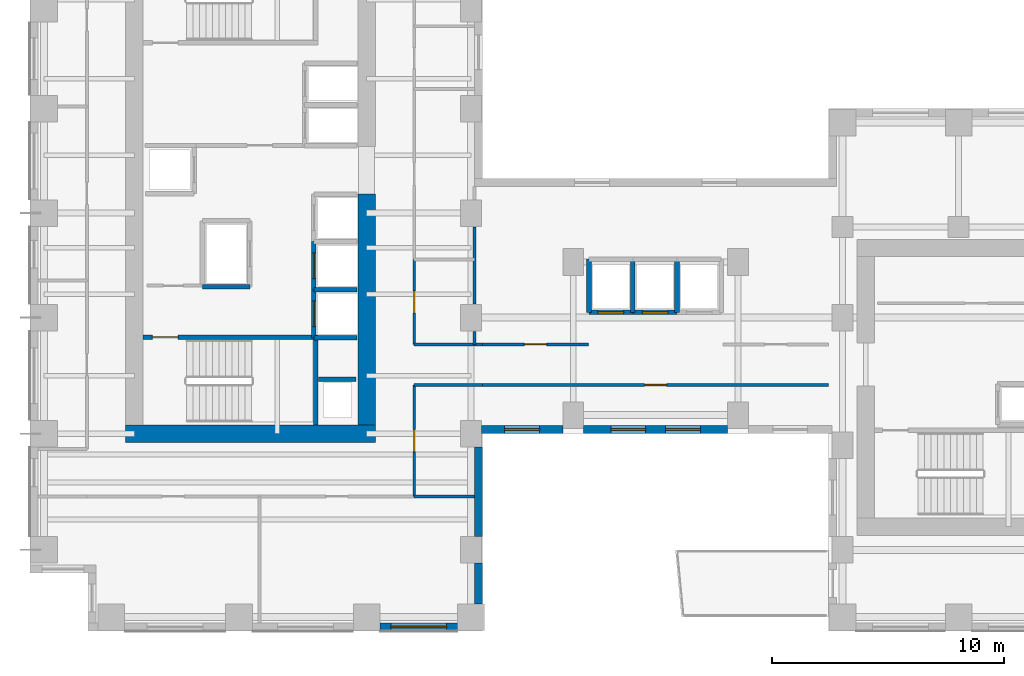
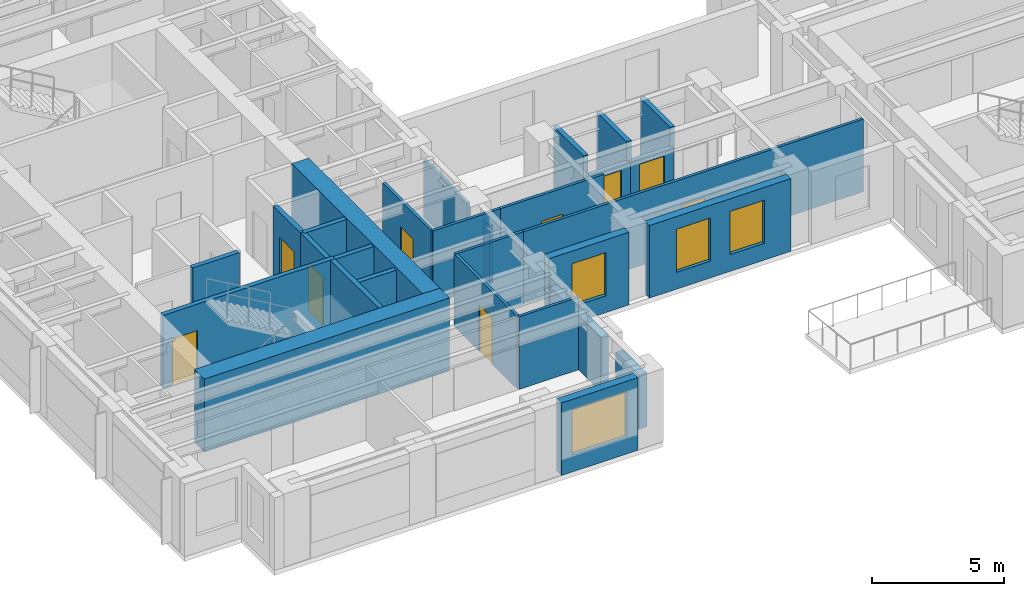
# One storey, part 4 of 12: 29 walls, 9 doors, 4 windows, 13 openings.
"""IFC4 building model written with IfcOpenShell, lengths in metres."""

from ifc_helpers import new_model, si_unit, direction, frame, frame_2d, origin, place, context, subcontext, project, spatial, rectangle, extrude, source, transform, mapped, material, layer, layer_set, type_object, element, fill, save


model = new_model("IFC4")

# Units and contexts
model_context = context("Model", 3, precision=1e-05, world=origin(), true_north=direction((0.0, 1.0)))
body_context = subcontext(model_context, "Body", "Model", "MODEL_VIEW")
ifc_project = project(units=[si_unit("LENGTHUNIT", "METRE"), si_unit("AREAUNIT", "SQUARE_METRE"), si_unit("VOLUMEUNIT", "CUBIC_METRE"), si_unit("PLANEANGLEUNIT", "RADIAN"), si_unit("MASSUNIT", "GRAM", prefix="KILO")], contexts=[model_context])

# Site, building, storey
site_placement = place(None, origin())
site = spatial("IfcSite", under=ifc_project, at=site_placement, CompositionType="ELEMENT")
building_placement = place(site_placement, origin())
building = spatial("IfcBuilding", under=site, at=building_placement, Name="Kharzan Plaza Tower", CompositionType="ELEMENT")
storey_placement = place(building_placement, frame((0.0, 0.0, 91.800048828125)))
storey = spatial("IfcBuildingStorey", under=building, at=storey_placement, Name="L24", CompositionType="ELEMENT", Elevation=91.800048828125)

# Wall, opening, window
ifc_material_1 = material(Name="Concrete C40/50", Category="concrete")
ifc_layer_1 = layer(ifc_material_1, 0.35009765625)
ifc_layer_set_1 = layer_set([ifc_layer_1], Name="Concrete C40/50")
wall_type_1 = type_object("IfcWallType", Name="WL-EXT-MAS-Z2", PredefinedType="SOLIDWALL", material=ifc_layer_set_1)
wall_1_placement = place(storey_placement, frame((15.072998046875, 0.175048828125, 0.0), z_axis=(0.0, 0.0, 1.0), x_axis=(1.0, 0.0, 0.0)))
wall_1 = element("IfcWall", 1, at=wall_1_placement, inside=storey, type_object=wall_type_1, Name="L24 Masonry-Frame Exterior Wall 31", PredefinedType="SOLIDWALL", context=body_context, shape_type="SweptSolid", body=[
    extrude(rectangle(XDim=3.35400390625, YDim=0.35009765625, at=frame_2d((1.677001953125, 0.0))), origin(), (0.0, 0.0, 1.0), 3.364990234375),
])
opening_1_placement = place(wall_1_placement, frame((0.47705078125, 0.0, 0.780029296875)))
opening_1 = element("IfcOpeningElement", 2, at=opening_1_placement, cuts=wall_1, Name="Opening W2", PredefinedType="OPENING", context=body_context, shape_type="SweptSolid", body=[
    extrude(rectangle(XDim=2.39990234375, YDim=2.10009765625, at=frame_2d((1.199951171875, 1.050048828125))), frame((0.0, 0.18505859375, 0.0), z_axis=(0.0, -1.0, 0.0), x_axis=(1.0, 0.0, 0.0)), (0.0, 0.0, 1.0), 0.3701171875),
])
ifc_material_2 = material(Name="Low-E Double Glazing", Category="glass")
window_type_1 = type_object("IfcWindowType", Name="WN-REC-2400x2100", PartitioningType="SINGLE_PANEL", PredefinedType="WINDOW", material=ifc_material_2)
shared_shape_1 = source(origin(), body_context, "Body", "SweptSolid", [
    extrude(rectangle(XDim=2.39990234375, YDim=2.10009765625, at=frame_2d((1.199951171875, 1.050048828125))), frame((0.0, 0.030029296875, 0.0), z_axis=(0.0, -1.0, 0.0), x_axis=(1.0, 0.0, 0.0)), (0.0, 0.0, 1.0), 0.06005859375),
])
window_1_placement = place(opening_1_placement, origin())
window_1 = element("IfcWindow", 3, at=window_1_placement, inside=storey, type_object=window_type_1, Name="L24 Wide Recessed Solar-Control Window 31-1", OverallHeight=2.10009765625, OverallWidth=2.39990234375, PartitioningType="SINGLE_PANEL", PredefinedType="WINDOW", context=body_context, shape_type="MappedRepresentation", body=[
    mapped(shared_shape_1, transform((0.0, 0.0, 0.0), x_axis=(1.0, 0.0, 0.0), y_axis=(0.0, 1.0, 0.0), z_axis=(0.0, 0.0, 1.0))),
])
fill(opening_1, window_1)

wall_2_placement = place(storey_placement, frame((19.447998046875, 8.675048828125, 0.0), z_axis=(0.0, 0.0, 1.0), x_axis=(1.0, 0.0, 0.0)))
wall_2 = element("IfcWall", 4, at=wall_2_placement, inside=storey, type_object=wall_type_1, Name="L24 Masonry-Frame Exterior Wall 34", PredefinedType="SOLIDWALL", context=body_context, shape_type="SweptSolid", body=[
    extrude(rectangle(XDim=3.50390625, YDim=0.35009765625, at=frame_2d((1.751953125, 0.0))), origin(), (0.0, 0.0, 1.0), 3.364990234375),
])
opening_2_placement = place(wall_2_placement, frame((1.001953125, 0.0, 0.780029296875)))
opening_2 = element("IfcOpeningElement", 5, at=opening_2_placement, cuts=wall_2, Name="Opening W5", PredefinedType="OPENING", context=body_context, shape_type="SweptSolid", body=[
    extrude(rectangle(XDim=1.5, YDim=2.0, at=frame_2d((0.75, 1.0))), frame((0.0, 0.18505859375, 0.0), z_axis=(0.0, -1.0, 0.0), x_axis=(1.0, 0.0, 0.0)), (0.0, 0.0, 1.0), 0.3701171875),
])
window_type_2 = type_object("IfcWindowType", Name="WN-SLT-1500x2000", PartitioningType="SINGLE_PANEL", PredefinedType="WINDOW", material=ifc_material_2)
shared_shape_2 = source(origin(), body_context, "Body", "SweptSolid", [
    extrude(rectangle(XDim=1.5, YDim=2.0, at=frame_2d((0.75, 1.0))), frame((0.0, 0.030029296875, 0.0), z_axis=(0.0, -1.0, 0.0), x_axis=(1.0, 0.0, 0.0)), (0.0, 0.0, 1.0), 0.06005859375),
])
window_2_placement = place(opening_2_placement, origin())
window_2 = element("IfcWindow", 6, at=window_2_placement, inside=storey, type_object=window_type_2, Name="L24 Recessed Solar-Control Window 34-1", OverallHeight=2.0, OverallWidth=1.5, PartitioningType="SINGLE_PANEL", PredefinedType="WINDOW", context=body_context, shape_type="MappedRepresentation", body=[
    mapped(shared_shape_2, transform((0.0, 0.0, 0.0), x_axis=(1.0, 0.0, 0.0), y_axis=(0.0, 1.0, 0.0), z_axis=(0.0, 0.0, 1.0))),
])
fill(opening_2, window_2)

# Wall, openings, windows
wall_3_placement = place(storey_placement, frame((23.847900390625, 8.675048828125, 0.0), z_axis=(0.0, 0.0, 1.0), x_axis=(1.0, 0.0, 0.0)))
wall_3 = element("IfcWall", 7, at=wall_3_placement, inside=storey, type_object=wall_type_1, Name="L24 Masonry-Frame Exterior Wall 35", PredefinedType="SOLIDWALL", context=body_context, shape_type="SweptSolid", body=[
    extrude(rectangle(XDim=6.2041015625, YDim=0.35009765625, at=frame_2d((3.10205078125, 0.0))), origin(), (0.0, 0.0, 1.0), 3.364990234375),
])
opening_3_placement = place(wall_3_placement, frame((1.1748046875, 0.0, 0.780029296875)))
opening_3 = element("IfcOpeningElement", 8, at=opening_3_placement, cuts=wall_3, Name="Opening W5", PredefinedType="OPENING", context=body_context, shape_type="SweptSolid", body=[
    extrude(rectangle(XDim=1.5, YDim=2.0, at=frame_2d((0.75, 1.0))), frame((0.0, 0.18505859375, 0.0), z_axis=(0.0, -1.0, 0.0), x_axis=(1.0, 0.0, 0.0)), (0.0, 0.0, 1.0), 0.3701171875),
])
opening_4_placement = place(wall_3_placement, frame((3.529296875, 0.0, 0.780029296875)))
opening_4 = element("IfcOpeningElement", 9, at=opening_4_placement, cuts=wall_3, Name="Opening W5", PredefinedType="OPENING", context=body_context, shape_type="SweptSolid", body=[
    extrude(rectangle(XDim=1.5, YDim=2.0, at=frame_2d((0.75, 1.0))), frame((0.0, 0.18505859375, 0.0), z_axis=(0.0, -1.0, 0.0), x_axis=(1.0, 0.0, 0.0)), (0.0, 0.0, 1.0), 0.3701171875),
])
window_3_placement = place(opening_3_placement, origin())
window_3 = element("IfcWindow", 10, at=window_3_placement, inside=storey, type_object=window_type_2, Name="L24 Recessed Solar-Control Window 35-1", OverallHeight=2.0, OverallWidth=1.5, PartitioningType="SINGLE_PANEL", PredefinedType="WINDOW", context=body_context, shape_type="MappedRepresentation", body=[
    mapped(shared_shape_2, transform((0.0, 0.0, 0.0), x_axis=(1.0, 0.0, 0.0), y_axis=(0.0, 1.0, 0.0), z_axis=(0.0, 0.0, 1.0))),
])
fill(opening_3, window_3)
window_4_placement = place(opening_4_placement, origin())
window_4 = element("IfcWindow", 11, at=window_4_placement, inside=storey, type_object=window_type_2, Name="L24 Recessed Solar-Control Window 35-2", OverallHeight=2.0, OverallWidth=1.5, PartitioningType="SINGLE_PANEL", PredefinedType="WINDOW", context=body_context, shape_type="MappedRepresentation", body=[
    mapped(shared_shape_2, transform((0.0, 0.0, 0.0), x_axis=(1.0, 0.0, 0.0), y_axis=(0.0, 1.0, 0.0), z_axis=(0.0, 0.0, 1.0))),
])
fill(opening_4, window_4)

# Wall, opening, door
ifc_material_3 = material(Name="Fire-Rated Gypsum Board Partition", Category="gypsum")
ifc_layer_2 = layer(ifc_material_3, 0.125)
ifc_layer_set_2 = layer_set([ifc_layer_2], Name="Fire-Rated Gypsum Board Partition")
wall_type_2 = type_object("IfcWallType", Name="WL-INT-PART-125", PredefinedType="PARTITIONING", material=ifc_layer_set_2)
wall_4_placement = place(storey_placement, frame((16.550048828125, 12.35009765625, 0.0), z_axis=(0.0, 0.0, 1.0), x_axis=(0.0, 1.0, 0.0)))
wall_4 = element("IfcWall", 12, at=wall_4_placement, inside=storey, type_object=wall_type_2, Name="L24 Interior Partition SH-AEWN1", PredefinedType="PARTITIONING", context=body_context, shape_type="SweptSolid", body=[
    extrude(rectangle(XDim=3.64990234375, YDim=0.125, at=frame_2d((1.824951171875, 0.0))), origin(), (0.0, 0.0, 1.0), 3.364990234375),
])
opening_5_placement = place(wall_4_placement, frame((1.35009765625, 0.0, 0.0)))
opening_5 = element("IfcOpeningElement", 13, at=opening_5_placement, cuts=wall_4, Name="Opening OD1", PredefinedType="OPENING", context=body_context, shape_type="SweptSolid", body=[
    extrude(rectangle(XDim=0.949951171875, YDim=2.14990234375, at=frame_2d((0.47509765625, 1.074951171875))), frame((0.0, 0.072509765625, 0.0), z_axis=(0.0, -1.0, 0.0), x_axis=(1.0, 0.0, 0.0)), (0.0, 0.0, 1.0), 0.14501953125),
])
ifc_material_4 = material(Name="Acoustic Solid-Core Stained Oak", Category="timber")
door_type_1 = type_object("IfcDoorType", Name="DR-OFF-SINGLE", OperationType="NOTDEFINED", PredefinedType="DOOR", material=ifc_material_4)
shared_shape_3 = source(origin(), body_context, "Body", "SweptSolid", [
    extrude(rectangle(XDim=0.949951171875, YDim=2.14990234375, at=frame_2d((0.47509765625, 1.074951171875))), frame((0.0, 0.02490234375, 0.0), z_axis=(0.0, -1.0, 0.0), x_axis=(1.0, 0.0, 0.0)), (0.0, 0.0, 1.0), 0.050048828125),
])
door_1_placement = place(opening_5_placement, origin())
door_1 = element("IfcDoor", 14, at=door_1_placement, inside=storey, type_object=door_type_1, Name="L24 Slot Collaboration Door", OperationType="SINGLE_SWING_LEFT", OverallHeight=2.14990234375, OverallWidth=0.949951171875, PredefinedType="DOOR", context=body_context, shape_type="MappedRepresentation", body=[
    mapped(shared_shape_3, transform((0.0, 0.0, 0.0), x_axis=(1.0, 0.0, 0.0), y_axis=(0.0, 1.0, 0.0), z_axis=(0.0, 0.0, 1.0))),
])
fill(opening_5, door_1)

wall_5_placement = place(storey_placement, frame((16.550048828125, 5.800048828125, 0.0), z_axis=(0.0, 0.0, 1.0), x_axis=(0.0, 1.0, 0.0)))
wall_5 = element("IfcWall", 15, at=wall_5_placement, inside=storey, type_object=wall_type_2, Name="L24 Interior Partition SH-AEWS", PredefinedType="PARTITIONING", context=body_context, shape_type="SweptSolid", body=[
    extrude(rectangle(XDim=4.800048828125, YDim=0.125, at=frame_2d((2.39990234375, 0.0))), origin(), (0.0, 0.0, 1.0), 3.364990234375),
])
opening_6_placement = place(wall_5_placement, frame((1.925048828125, 0.0, 0.0)))
opening_6 = element("IfcOpeningElement", 16, at=opening_6_placement, cuts=wall_5, Name="Opening OD1", PredefinedType="OPENING", context=body_context, shape_type="SweptSolid", body=[
    extrude(rectangle(XDim=0.949951171875, YDim=2.14990234375, at=frame_2d((0.47509765625, 1.074951171875))), frame((0.0, 0.072509765625, 0.0), z_axis=(0.0, -1.0, 0.0), x_axis=(1.0, 0.0, 0.0)), (0.0, 0.0, 1.0), 0.14501953125),
])
door_2_placement = place(opening_6_placement, origin())
door_2 = element("IfcDoor", 17, at=door_2_placement, inside=storey, type_object=door_type_1, Name="L24 Slot South Office Door", OperationType="SINGLE_SWING_RIGHT", OverallHeight=2.14990234375, OverallWidth=0.949951171875, PredefinedType="DOOR", context=body_context, shape_type="MappedRepresentation", body=[
    mapped(shared_shape_3, transform((0.0, 0.0, 0.0), x_axis=(1.0, 0.0, 0.0), y_axis=(0.0, 1.0, 0.0), z_axis=(0.0, 0.0, 1.0))),
])
fill(opening_6, door_2)

wall_6_placement = place(storey_placement, frame((19.5, 12.35009765625, 0.0), z_axis=(0.0, 0.0, 1.0), x_axis=(1.0, 0.0, 0.0)))
wall_6 = element("IfcWall", 18, at=wall_6_placement, inside=storey, type_object=wall_type_2, Name="L24 Interior Partition SH-SPNW1", PredefinedType="PARTITIONING", context=body_context, shape_type="SweptSolid", body=[
    extrude(rectangle(XDim=4.550048828125, YDim=0.125, at=frame_2d((2.27490234375, 0.0))), origin(), (0.0, 0.0, 1.0), 3.364990234375),
])
opening_7_placement = place(wall_6_placement, frame((1.800048828125, 0.0, 0.0)))
opening_7 = element("IfcOpeningElement", 19, at=opening_7_placement, cuts=wall_6, Name="Opening OD1", PredefinedType="OPENING", context=body_context, shape_type="SweptSolid", body=[
    extrude(rectangle(XDim=0.949951171875, YDim=2.14990234375, at=frame_2d((0.47509765625, 1.074951171875))), frame((0.0, 0.072509765625, 0.0), z_axis=(0.0, -1.0, 0.0), x_axis=(1.0, 0.0, 0.0)), (0.0, 0.0, 1.0), 0.14501953125),
])
door_3_placement = place(opening_7_placement, origin())
door_3 = element("IfcDoor", 20, at=door_3_placement, inside=storey, type_object=door_type_1, Name="L24 North-West Spine Door", OperationType="SINGLE_SWING_RIGHT", OverallHeight=2.14990234375, OverallWidth=0.949951171875, PredefinedType="DOOR", context=body_context, shape_type="MappedRepresentation", body=[
    mapped(shared_shape_3, transform((0.0, 0.0, 0.0), x_axis=(1.0, 0.0, 0.0), y_axis=(0.0, 1.0, 0.0), z_axis=(0.0, 0.0, 1.0))),
])
fill(opening_7, door_3)

wall_7_placement = place(storey_placement, frame((19.5, 10.60009765625, 0.0), z_axis=(0.0, 0.0, 1.0), x_axis=(1.0, 0.0, 0.0)))
wall_7 = element("IfcWall", 21, at=wall_7_placement, inside=storey, type_object=wall_type_2, Name="L24 Interior Partition SH-SPS1", PredefinedType="PARTITIONING", context=body_context, shape_type="SweptSolid", body=[
    extrude(rectangle(XDim=14.89990234375, YDim=0.125, at=frame_2d((7.449951171875, 0.0))), origin(), (0.0, 0.0, 1.0), 3.364990234375),
])
opening_8_placement = place(wall_7_placement, frame((6.97509765625, 0.0, 0.0)))
opening_8 = element("IfcOpeningElement", 22, at=opening_8_placement, cuts=wall_7, Name="Opening OD1", PredefinedType="OPENING", context=body_context, shape_type="SweptSolid", body=[
    extrude(rectangle(XDim=0.949951171875, YDim=2.14990234375, at=frame_2d((0.47509765625, 1.074951171875))), frame((0.0, 0.072509765625, 0.0), z_axis=(0.0, -1.0, 0.0), x_axis=(1.0, 0.0, 0.0)), (0.0, 0.0, 1.0), 0.14501953125),
])
door_4_placement = place(opening_8_placement, origin())
door_4 = element("IfcDoor", 23, at=door_4_placement, inside=storey, type_object=door_type_1, Name="L24 South Spine Studio Door", OperationType="SINGLE_SWING_LEFT", OverallHeight=2.14990234375, OverallWidth=0.949951171875, PredefinedType="DOOR", context=body_context, shape_type="MappedRepresentation", body=[
    mapped(shared_shape_3, transform((0.0, 0.0, 0.0), x_axis=(1.0, 0.0, 0.0), y_axis=(0.0, 1.0, 0.0), z_axis=(0.0, 0.0, 1.0))),
])
fill(opening_8, door_4)

ifc_layer_3 = layer(ifc_material_1, 0.199951171875)
ifc_layer_set_3 = layer_set([ifc_layer_3], Name="Concrete C40/50")
wall_type_3 = type_object("IfcWallType", Name="WL-INT-SHAFT-200", PredefinedType="PARTITIONING", material=ifc_layer_set_3)
wall_8_placement = place(storey_placement, frame((12.22998046875, 12.6298828125, 0.0), z_axis=(0.0, 0.0, 1.0), x_axis=(0.0, 1.0, 0.0)))
wall_8 = element("IfcWall", 24, at=wall_8_placement, inside=storey, type_object=wall_type_3, Name="L24 Interior Partition SHF-PL-H1-W", PredefinedType="PARTITIONING", context=body_context, shape_type="SweptSolid", body=[
    extrude(rectangle(XDim=2.070068359375, YDim=0.199951171875, at=frame_2d((1.03515625, 0.0))), origin(), (0.0, 0.0, 1.0), 3.364990234375),
])
opening_9_placement = place(wall_8_placement, frame((0.485107421875, 0.0, 0.0)))
opening_9 = element("IfcOpeningElement", 25, at=opening_9_placement, cuts=wall_8, Name="Opening LD", PredefinedType="OPENING", context=body_context, shape_type="SweptSolid", body=[
    extrude(rectangle(XDim=1.10009765625, YDim=2.199951171875, at=frame_2d((0.550048828125, 1.10009765625))), frame((0.0, 0.10986328125, 0.0), z_axis=(0.0, -1.0, 0.0), x_axis=(1.0, 0.0, 0.0)), (0.0, 0.0, 1.0), 0.219970703125),
])
ifc_material_5 = material(Name="Brushed Stainless Steel", Category="steel")
door_type_2 = type_object("IfcDoorType", Name="DR-LIFT-SLIDE", OperationType="SLIDING_TO_LEFT", PredefinedType="DOOR", material=ifc_material_5)
shared_shape_4 = source(origin(), body_context, "Body", "SweptSolid", [
    extrude(rectangle(XDim=1.10009765625, YDim=2.199951171875, at=frame_2d((0.550048828125, 1.10009765625))), frame((0.0, 0.02490234375, 0.0), z_axis=(0.0, -1.0, 0.0), x_axis=(1.0, 0.0, 0.0)), (0.0, 0.0, 1.0), 0.050048828125),
])
door_5_placement = place(opening_9_placement, origin())
door_5 = element("IfcDoor", 26, at=door_5_placement, inside=storey, type_object=door_type_2, Name="L24 High-Rise Passenger Lift PL-H1 Sliding Landing Door", OperationType="SLIDING_TO_LEFT", OverallHeight=2.199951171875, OverallWidth=1.10009765625, PredefinedType="DOOR", context=body_context, shape_type="MappedRepresentation", body=[
    mapped(shared_shape_4, transform((0.0, 0.0, 0.0), x_axis=(1.0, 0.0, 0.0), y_axis=(0.0, 1.0, 0.0), z_axis=(0.0, 0.0, 1.0))),
])
fill(opening_9, door_5)

wall_9_placement = place(storey_placement, frame((12.22998046875, 14.699951171875, 0.0), z_axis=(0.0, 0.0, 1.0), x_axis=(0.0, 1.0, 0.0)))
wall_9 = element("IfcWall", 27, at=wall_9_placement, inside=storey, type_object=wall_type_3, Name="L24 Interior Partition SHF-PL-H2-W", PredefinedType="PARTITIONING", context=body_context, shape_type="SweptSolid", body=[
    extrude(rectangle(XDim=2.070068359375, YDim=0.199951171875, at=frame_2d((1.03515625, 0.0))), origin(), (0.0, 0.0, 1.0), 3.364990234375),
])
opening_10_placement = place(wall_9_placement, frame((0.485107421875, 0.0, 0.0)))
opening_10 = element("IfcOpeningElement", 28, at=opening_10_placement, cuts=wall_9, Name="Opening LD", PredefinedType="OPENING", context=body_context, shape_type="SweptSolid", body=[
    extrude(rectangle(XDim=1.10009765625, YDim=2.199951171875, at=frame_2d((0.550048828125, 1.10009765625))), frame((0.0, 0.10986328125, 0.0), z_axis=(0.0, -1.0, 0.0), x_axis=(1.0, 0.0, 0.0)), (0.0, 0.0, 1.0), 0.219970703125),
])
door_6_placement = place(opening_10_placement, origin())
door_6 = element("IfcDoor", 29, at=door_6_placement, inside=storey, type_object=door_type_2, Name="L24 High-Rise Passenger Lift PL-H2 Sliding Landing Door", OperationType="SLIDING_TO_LEFT", OverallHeight=2.199951171875, OverallWidth=1.10009765625, PredefinedType="DOOR", context=body_context, shape_type="MappedRepresentation", body=[
    mapped(shared_shape_4, transform((0.0, 0.0, 0.0), x_axis=(1.0, 0.0, 0.0), y_axis=(0.0, 1.0, 0.0), z_axis=(0.0, 0.0, 1.0))),
])
fill(opening_10, door_6)

wall_10_placement = place(storey_placement, frame((24.080078125, 13.72998046875, 0.0), z_axis=(0.0, 0.0, 1.0), x_axis=(1.0, 0.0, 0.0)))
wall_10 = element("IfcWall", 30, at=wall_10_placement, inside=storey, type_object=wall_type_3, Name="L24 Interior Partition SHF-PL-M1-S", PredefinedType="PARTITIONING", context=body_context, shape_type="SweptSolid", body=[
    extrude(rectangle(XDim=1.889892578125, YDim=0.199951171875, at=frame_2d((0.94482421875, 0.0))), origin(), (0.0, 0.0, 1.0), 2.446044921875),
])
opening_11_placement = place(wall_10_placement, frame((0.39501953125, 0.0, 0.0)))
opening_11 = element("IfcOpeningElement", 31, at=opening_11_placement, cuts=wall_10, Name="Opening LD", PredefinedType="OPENING", context=body_context, shape_type="SweptSolid", body=[
    extrude(rectangle(XDim=1.10009765625, YDim=2.199951171875, at=frame_2d((0.550048828125, 1.10009765625))), frame((0.0, 0.10986328125, 0.0), z_axis=(0.0, -1.0, 0.0), x_axis=(1.0, 0.0, 0.0)), (0.0, 0.0, 1.0), 0.219970703125),
])
door_7_placement = place(opening_11_placement, origin())
door_7 = element("IfcDoor", 32, at=door_7_placement, inside=storey, type_object=door_type_2, Name="L24 Mid-Rise Passenger Lift PL-M1 Sliding Landing Door", OperationType="SLIDING_TO_LEFT", OverallHeight=2.199951171875, OverallWidth=1.10009765625, PredefinedType="DOOR", context=body_context, shape_type="MappedRepresentation", body=[
    mapped(shared_shape_4, transform((0.0, 0.0, 0.0), x_axis=(1.0, 0.0, 0.0), y_axis=(0.0, 1.0, 0.0), z_axis=(0.0, 0.0, 1.0))),
])
fill(opening_11, door_7)

wall_11_placement = place(storey_placement, frame((25.97998046875, 13.72998046875, 0.0), z_axis=(0.0, 0.0, 1.0), x_axis=(1.0, 0.0, 0.0)))
wall_11 = element("IfcWall", 33, at=wall_11_placement, inside=storey, type_object=wall_type_3, Name="L24 Interior Partition SHF-PL-M2-S", PredefinedType="PARTITIONING", context=body_context, shape_type="SweptSolid", body=[
    extrude(rectangle(XDim=1.89013671875, YDim=0.199951171875, at=frame_2d((0.945068359375, 0.0))), origin(), (0.0, 0.0, 1.0), 2.446044921875),
])
opening_12_placement = place(wall_11_placement, frame((0.39501953125, 0.0, 0.0)))
opening_12 = element("IfcOpeningElement", 34, at=opening_12_placement, cuts=wall_11, Name="Opening LD", PredefinedType="OPENING", context=body_context, shape_type="SweptSolid", body=[
    extrude(rectangle(XDim=1.10009765625, YDim=2.199951171875, at=frame_2d((0.550048828125, 1.10009765625))), frame((0.0, 0.10986328125, 0.0), z_axis=(0.0, -1.0, 0.0), x_axis=(1.0, 0.0, 0.0)), (0.0, 0.0, 1.0), 0.219970703125),
])
door_8_placement = place(opening_12_placement, origin())
door_8 = element("IfcDoor", 35, at=door_8_placement, inside=storey, type_object=door_type_2, Name="L24 Mid-Rise Passenger Lift PL-M2 Sliding Landing Door", OperationType="SLIDING_TO_LEFT", OverallHeight=2.199951171875, OverallWidth=1.10009765625, PredefinedType="DOOR", context=body_context, shape_type="MappedRepresentation", body=[
    mapped(shared_shape_4, transform((0.0, 0.0, 0.0), x_axis=(1.0, 0.0, 0.0), y_axis=(0.0, 1.0, 0.0), z_axis=(0.0, 0.0, 1.0))),
])
fill(opening_12, door_8)

ifc_material_6 = material(Name="Concrete C50/60", Category="concrete")
ifc_layer_4 = layer(ifc_material_6, 0.199951171875)
ifc_layer_set_4 = layer_set([ifc_layer_4], Name="Concrete C50/60")
wall_type_4 = type_object("IfcWallType", Name="WL-SHAFT-RC200", PredefinedType="SHEAR", material=ifc_layer_set_4)
wall_12_placement = place(storey_placement, frame((4.876953125, 12.655029296875, 0.0), z_axis=(0.0, 0.0, 1.0), x_axis=(1.0, 0.0, 0.0)))
wall_12 = element("IfcWall", 36, at=wall_12_placement, inside=storey, type_object=wall_type_4, Name="L24 Stair ST-1 North RC Shaft Wall", PredefinedType="SHEAR", context=body_context, shape_type="SweptSolid", body=[
    extrude(rectangle(XDim=7.528076171875, YDim=0.199951171875, at=frame_2d((3.76416015625, 0.0))), origin(), (0.0, 0.0, 1.0), 3.3798828125),
])
opening_13_placement = place(wall_12_placement, frame((0.39990234375, 0.0, 0.0)))
opening_13 = element("IfcOpeningElement", 37, at=opening_13_placement, cuts=wall_12, Name="Opening SD1", PredefinedType="OPENING", context=body_context, shape_type="SweptSolid", body=[
    extrude(rectangle(XDim=1.10009765625, YDim=2.14990234375, at=frame_2d((0.550048828125, 1.074951171875))), frame((0.0, 0.10986328125, 0.0), z_axis=(0.0, -1.0, 0.0), x_axis=(1.0, 0.0, 0.0)), (0.0, 0.0, 1.0), 0.219970703125),
])
ifc_material_7 = material(Name="Fire-Rated Hollow Galvanized Steel", Category="steel")
door_type_3 = type_object("IfcDoorType", Name="DR-STAIR-FD120", OperationType="NOTDEFINED", PredefinedType="DOOR", material=ifc_material_7)
shared_shape_5 = source(origin(), body_context, "Body", "SweptSolid", [
    extrude(rectangle(XDim=1.10009765625, YDim=2.14990234375, at=frame_2d((0.550048828125, 1.074951171875))), frame((0.0, 0.02490234375, 0.0), z_axis=(0.0, -1.0, 0.0), x_axis=(1.0, 0.0, 0.0)), (0.0, 0.0, 1.0), 0.050048828125),
])
door_9_placement = place(opening_13_placement, origin())
door_9 = element("IfcDoor", 38, at=door_9_placement, inside=storey, type_object=door_type_3, Name="L24 Stair ST-1 Fire Exit Door", OperationType="SINGLE_SWING_LEFT", OverallHeight=2.14990234375, OverallWidth=1.10009765625, PredefinedType="DOOR", context=body_context, shape_type="MappedRepresentation", body=[
    mapped(shared_shape_5, transform((0.0, 0.0, 0.0), x_axis=(1.0, 0.0, 0.0), y_axis=(0.0, 1.0, 0.0), z_axis=(0.0, 0.0, 1.0))),
])
fill(opening_13, door_9)

# Walls
shared_shape_6 = source(origin(), body_context, "Body", "SweptSolid", [
    extrude(rectangle(XDim=2.597900390625, YDim=0.125, at=frame_2d((1.298828125, 0.0))), origin(), (0.0, 0.0, 1.0), 3.364990234375),
])
wall_13_placement = place(storey_placement, frame((16.550048828125, 5.800048828125, 0.0), z_axis=(0.0, 0.0, 1.0), x_axis=(1.0, 0.0, 0.0)))
element("IfcWall", 39, at=wall_13_placement, inside=storey, type_object=wall_type_2, Name="L24 Interior Partition SH-SSE-2", PredefinedType="PARTITIONING", context=body_context, shape_type="MappedRepresentation", body=[
    mapped(shared_shape_6, transform((0.0, 0.0, 0.0), x_axis=(1.0, 0.0, 0.0), y_axis=(0.0, 1.0, 0.0), z_axis=(0.0, 0.0, 1.0))),
])
shared_shape_7 = source(origin(), body_context, "Body", "SweptSolid", [
    extrude(rectangle(XDim=2.949951171875, YDim=0.125, at=frame_2d((1.47509765625, 0.0))), origin(), (0.0, 0.0, 1.0), 3.364990234375),
])
for number, where, z_axis, x_axis, name in (
    (40, (16.550048828125, 12.35009765625, 0.0), (0.0, 0.0, 1.0), (1.0, 0.0, 0.0), "L24 Interior Partition SH-SPNW0"),
    (41, (16.550048828125, 10.60009765625, 0.0), (0.0, 0.0, 1.0), (1.0, 0.0, 0.0), "L24 Interior Partition SH-SPS0"),
):
    element("IfcWall", number, at=place(storey_placement, frame(where, z_axis=z_axis, x_axis=x_axis)), inside=storey, type_object=wall_type_2, Name=name, PredefinedType="PARTITIONING", context=body_context, shape_type="MappedRepresentation", body=[
        mapped(shared_shape_7, transform((0.0, 0.0, 0.0), x_axis=(1.0, 0.0, 0.0), y_axis=(0.0, 1.0, 0.0), z_axis=(0.0, 0.0, 1.0))),
    ])
shared_shape_8 = source(origin(), body_context, "Body", "SweptSolid", [
    extrude(rectangle(XDim=2.2900390625, YDim=0.199951171875, at=frame_2d((1.14501953125, 0.0))), origin(), (0.0, 0.0, 1.0), 3.364990234375),
])
for number, where, z_axis, x_axis, name in (
    (42, (25.969970703125, 13.72998046875, 0.0), (0.0, 0.0, 1.0), (0.0, 1.0, 0.0), "L24 Interior Partition SHF-PL-M1-E"),
    (43, (24.080078125, 13.72998046875, 0.0), (0.0, 0.0, 1.0), (0.0, 1.0, 0.0), "L24 Interior Partition SHF-PL-M1-W"),
    (44, (27.8701171875, 13.72998046875, 0.0), (0.0, 0.0, 1.0), (0.0, 1.0, 0.0), "L24 Interior Partition SHF-PL-M2-E"),
):
    element("IfcWall", number, at=place(storey_placement, frame(where, z_axis=z_axis, x_axis=x_axis)), inside=storey, type_object=wall_type_3, Name=name, PredefinedType="PARTITIONING", context=body_context, shape_type="MappedRepresentation", body=[
        mapped(shared_shape_8, transform((0.0, 0.0, 0.0), x_axis=(1.0, 0.0, 0.0), y_axis=(0.0, 1.0, 0.0), z_axis=(0.0, 0.0, 1.0))),
    ])
shared_shape_9 = source(origin(), body_context, "Body", "SweptSolid", [
    extrude(rectangle(XDim=2.0400390625, YDim=0.199951171875, at=frame_2d((1.02001953125, 0.0))), origin(), (0.0, 0.0, 1.0), 3.364990234375),
])
wall_14_placement = place(storey_placement, frame((7.429931640625, 14.830078125, 0.0), z_axis=(0.0, 0.0, 1.0), x_axis=(1.0, 0.0, 0.0)))
element("IfcWall", 45, at=wall_14_placement, inside=storey, type_object=wall_type_3, Name="L24 Interior Partition SHF-SVL-1-S", PredefinedType="PARTITIONING", context=body_context, shape_type="MappedRepresentation", body=[
    mapped(shared_shape_9, transform((0.0, 0.0, 0.0), x_axis=(1.0, 0.0, 0.0), y_axis=(0.0, 1.0, 0.0), z_axis=(0.0, 0.0, 1.0))),
])
shared_shape_10 = source(origin(), body_context, "Body", "SweptSolid", [
    extrude(rectangle(XDim=1.75390625, YDim=0.35009765625, at=frame_2d((0.876953125, 0.0))), origin(), (0.0, 0.0, 1.0), 2.51904296875),
])
wall_15_placement = place(storey_placement, frame((19.324951171875, 1.173095703125, 0.0), z_axis=(0.0, 0.0, 1.0), x_axis=(0.0, 1.0, 0.0)))
element("IfcWall", 46, at=wall_15_placement, inside=storey, type_object=wall_type_1, Name="L24 Masonry-Frame Exterior Wall 32", PredefinedType="SOLIDWALL", context=body_context, shape_type="MappedRepresentation", body=[
    mapped(shared_shape_10, transform((0.0, 0.0, 0.0), x_axis=(1.0, 0.0, 0.0), y_axis=(0.0, 1.0, 0.0), z_axis=(0.0, 0.0, 1.0))),
])
shared_shape_11 = source(origin(), body_context, "Body", "SweptSolid", [
    extrude(rectangle(XDim=0.559814453125, YDim=0.125, at=frame_2d((0.27978515625, 0.0))), origin(), (0.0, 0.0, 1.0), 2.677001953125),
])
wall_16_placement = place(storey_placement, frame((19.14990234375, 12.35009765625, 0.0), z_axis=(0.0, 0.0, 1.0), x_axis=(0.0, 1.0, 0.0)))
element("IfcWall", 47, at=wall_16_placement, inside=storey, type_object=wall_type_2, Name="L24 Interior Partition SH-AEN-DIV-S1", PredefinedType="PARTITIONING", context=body_context, shape_type="MappedRepresentation", body=[
    mapped(shared_shape_11, transform((0.0, 0.0, 0.0), x_axis=(1.0, 0.0, 0.0), y_axis=(0.0, 1.0, 0.0), z_axis=(0.0, 0.0, 1.0))),
])
shared_shape_12 = source(origin(), body_context, "Body", "SweptSolid", [
    extrude(rectangle(XDim=3.31982421875, YDim=0.125, at=frame_2d((1.659912109375, 0.0))), origin(), (0.0, 0.0, 1.0), 2.677001953125),
])
wall_17_placement = place(storey_placement, frame((19.14990234375, 14.090087890625, 0.0), z_axis=(0.0, 0.0, 1.0), x_axis=(0.0, 1.0, 0.0)))
element("IfcWall", 48, at=wall_17_placement, inside=storey, type_object=wall_type_2, Name="L24 Interior Partition SH-AEN-DIV-S2", PredefinedType="PARTITIONING", context=body_context, shape_type="MappedRepresentation", body=[
    mapped(shared_shape_12, transform((0.0, 0.0, 0.0), x_axis=(1.0, 0.0, 0.0), y_axis=(0.0, 1.0, 0.0), z_axis=(0.0, 0.0, 1.0))),
])
shared_shape_13 = source(origin(), body_context, "Body", "SweptSolid", [
    extrude(rectangle(XDim=1.630126953125, YDim=0.199951171875, at=frame_2d((0.81494140625, 0.0))), origin(), (0.0, 0.0, 1.0), 3.364990234375),
])
wall_18_placement = place(storey_placement, frame((12.419921875, 10.85009765625, 0.0), z_axis=(0.0, 0.0, 1.0), x_axis=(1.0, 0.0, 0.0)))
element("IfcWall", 49, at=wall_18_placement, inside=storey, type_object=wall_type_3, Name="L24 Interior Partition CA-RSRA-N", PredefinedType="PARTITIONING", context=body_context, shape_type="MappedRepresentation", body=[
    mapped(shared_shape_13, transform((0.0, 0.0, 0.0), x_axis=(1.0, 0.0, 0.0), y_axis=(0.0, 1.0, 0.0), z_axis=(0.0, 0.0, 1.0))),
])
shared_shape_14 = source(origin(), body_context, "Body", "SweptSolid", [
    extrude(rectangle(XDim=1.864990234375, YDim=0.199951171875, at=frame_2d((0.9326171875, 0.0))), origin(), (0.0, 0.0, 1.0), 3.364990234375),
])
for number, where, z_axis, x_axis, name in (
    (50, (12.22998046875, 14.699951171875, 0.0), (0.0, 0.0, 1.0), (1.0, 0.0, 0.0), "L24 Interior Partition SHF-PL-H1-N"),
    (51, (12.22998046875, 12.6298828125, 0.0), (0.0, 0.0, 1.0), (1.0, 0.0, 0.0), "L24 Interior Partition SHF-PL-H1-S"),
):
    element("IfcWall", number, at=place(storey_placement, frame(where, z_axis=z_axis, x_axis=x_axis)), inside=storey, type_object=wall_type_3, Name=name, PredefinedType="PARTITIONING", context=body_context, shape_type="MappedRepresentation", body=[
        mapped(shared_shape_14, transform((0.0, 0.0, 0.0), x_axis=(1.0, 0.0, 0.0), y_axis=(0.0, 1.0, 0.0), z_axis=(0.0, 0.0, 1.0))),
    ])
ifc_material_8 = material(Name="Concrete C60/75", Category="concrete")
ifc_layer_5 = layer(ifc_material_8, 0.75)
ifc_layer_set_5 = layer_set([ifc_layer_5], Name="Concrete C60/75")
wall_type_5 = type_object("IfcWallType", Name="WL-CORE-750", PredefinedType="SHEAR", material=ifc_layer_set_5)
shared_shape_15 = source(origin(), body_context, "Body", "SweptSolid", [
    extrude(rectangle(XDim=9.945068359375, YDim=0.75, at=frame_2d((4.97265625, 0.0))), origin(), (0.0, 0.0, 1.0), 3.3798828125),
])
wall_19_placement = place(storey_placement, frame((14.5, 8.875, 0.0), z_axis=(0.0, 0.0, 1.0), x_axis=(0.0, 1.0, 0.0)))
element("IfcWall", 52, at=wall_19_placement, inside=storey, type_object=wall_type_5, Name="L24 CORE-A east shear pier 1", PredefinedType="SHEAR", context=body_context, shape_type="MappedRepresentation", body=[
    mapped(shared_shape_15, transform((0.0, 0.0, 0.0), x_axis=(1.0, 0.0, 0.0), y_axis=(0.0, 1.0, 0.0), z_axis=(0.0, 0.0, 1.0))),
])
shared_shape_16 = source(origin(), body_context, "Body", "SweptSolid", [
    extrude(rectangle(XDim=10.75, YDim=0.75, at=frame_2d((5.375, 0.0))), origin(), (0.0, 0.0, 1.0), 3.3798828125),
])
wall_20_placement = place(storey_placement, frame((4.125, 8.5, 0.0), z_axis=(0.0, 0.0, 1.0), x_axis=(1.0, 0.0, 0.0)))
element("IfcWall", 53, at=wall_20_placement, inside=storey, type_object=wall_type_5, Name="L24 CORE-A south RC shear wall", PredefinedType="SHEAR", context=body_context, shape_type="MappedRepresentation", body=[
    mapped(shared_shape_16, transform((0.0, 0.0, 0.0), x_axis=(1.0, 0.0, 0.0), y_axis=(0.0, 1.0, 0.0), z_axis=(0.0, 0.0, 1.0))),
])
shared_shape_17 = source(origin(), body_context, "Body", "SweptSolid", [
    extrude(rectangle(XDim=3.677978515625, YDim=0.199951171875, at=frame_2d((1.8388671875, 0.0))), origin(), (0.0, 0.0, 1.0), 3.3798828125),
])
wall_21_placement = place(storey_placement, frame((12.304931640625, 8.876953125, 0.0), z_axis=(0.0, 0.0, 1.0), x_axis=(0.0, 1.0, 0.0)))
element("IfcWall", 54, at=wall_21_placement, inside=storey, type_object=wall_type_4, Name="L24 Stair ST-1 East RC Shaft Wall", PredefinedType="SHEAR", context=body_context, shape_type="MappedRepresentation", body=[
    mapped(shared_shape_17, transform((0.0, 0.0, 0.0), x_axis=(1.0, 0.0, 0.0), y_axis=(0.0, 1.0, 0.0), z_axis=(0.0, 0.0, 1.0))),
])
shared_shape_18 = source(origin(), body_context, "Body", "SweptSolid", [
    extrude(rectangle(XDim=3.85400390625, YDim=0.35009765625, at=frame_2d((1.927001953125, 0.0))), origin(), (0.0, 0.0, 1.0), 2.51904296875),
])
wall_22_placement = place(storey_placement, frame((19.324951171875, 4.072998046875, 0.0), z_axis=(0.0, 0.0, 1.0), x_axis=(0.0, 1.0, 0.0)))
element("IfcWall", 55, at=wall_22_placement, inside=storey, type_object=wall_type_1, Name="L24 Masonry-Frame Exterior Wall 33", PredefinedType="SOLIDWALL", context=body_context, shape_type="MappedRepresentation", body=[
    mapped(shared_shape_18, transform((0.0, 0.0, 0.0), x_axis=(1.0, 0.0, 0.0), y_axis=(0.0, 1.0, 0.0), z_axis=(0.0, 0.0, 1.0))),
])

save(model, "model.ifc")
